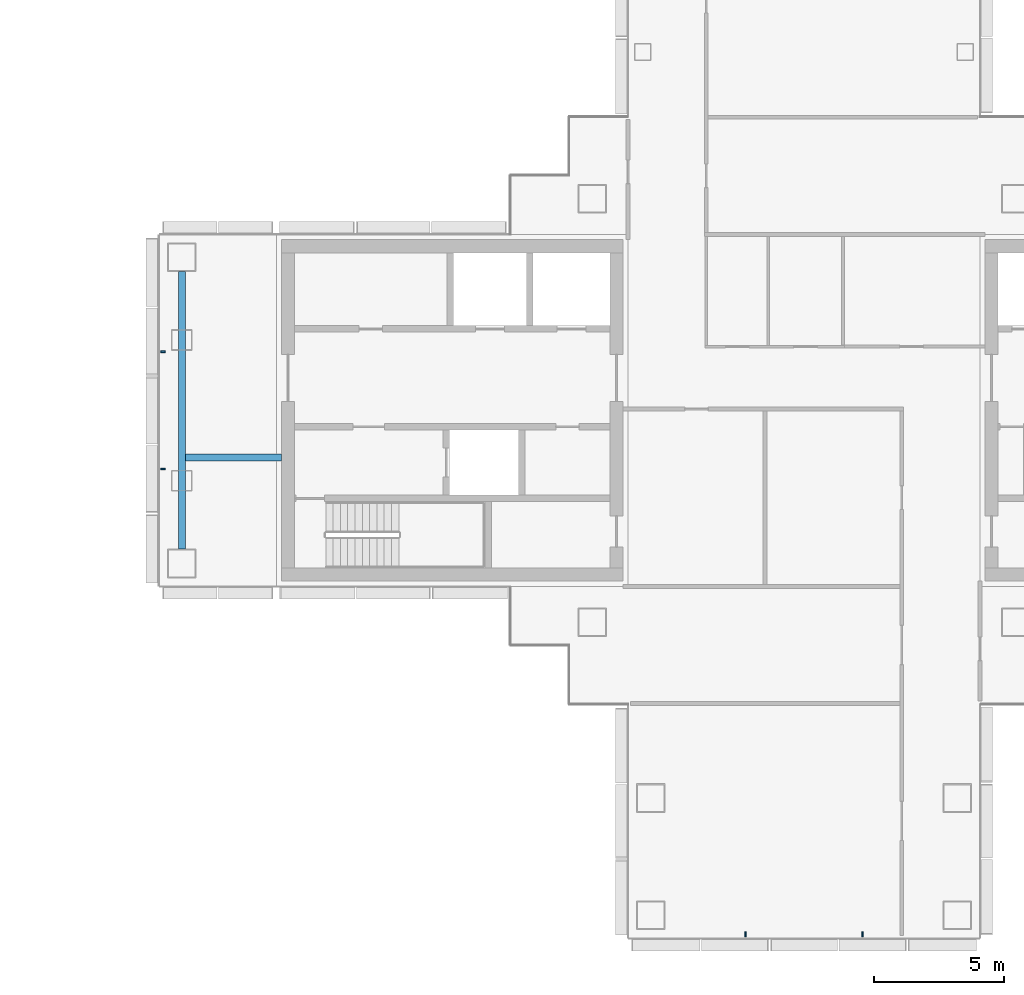
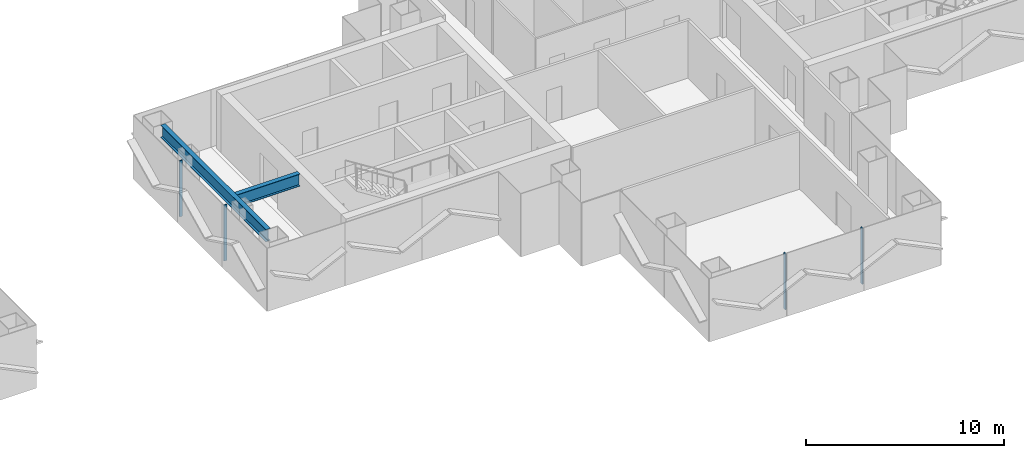
# One storey, part 5 of 16: 4 members, 2 beams, 2 elements without a shape of their own.
"""IFC4 building model written with IfcOpenShell, lengths in metres."""

from ifc_helpers import new_model, si_unit, direction, frame, origin, origin_2d, place, context, subcontext, project, spatial, rectangle, i_section, extrude, material, layer, layer_set, material_profile, profile_set, type_object, element, aggregate, save


model = new_model("IFC4")

# Units and contexts
model_context = context("Model", 3, precision=1e-05, world=origin(), true_north=direction((0.0, 1.0)))
body_context = subcontext(model_context, "Body", "Model", "MODEL_VIEW")
ifc_project = project(units=[si_unit("LENGTHUNIT", "METRE"), si_unit("AREAUNIT", "SQUARE_METRE"), si_unit("VOLUMEUNIT", "CUBIC_METRE"), si_unit("PLANEANGLEUNIT", "RADIAN"), si_unit("MASSUNIT", "GRAM", prefix="KILO")], contexts=[model_context])

# Site, building, storey
site_placement = place(None, origin())
site = spatial("IfcSite", under=ifc_project, at=site_placement, CompositionType="ELEMENT")
building_placement = place(site_placement, origin())
building = spatial("IfcBuilding", under=site, at=building_placement, Name="Shamsa Quay Exchange Towers", CompositionType="ELEMENT")
storey_placement = place(building_placement, frame((0.0, 0.0, 166.199951171875)))
storey = spatial("IfcBuildingStorey", under=building, at=storey_placement, Name="L39", CompositionType="ELEMENT", Elevation=166.199951171875)

# Curtain wall, members
ifc_material_1 = material(Name="Aluminium EN AW-6063 T6, black anodised", Category="aluminium")
ifc_layer = layer(ifc_material_1, 0.280029296875)
ifc_layer_set = layer_set([ifc_layer], Name="CW-1 UNITISED VISION GLASS")
curtain_wall_type = type_object("IfcCurtainWallType", Name="CW-1 UNITISED VISION GLASS", PredefinedType="NOTDEFINED", material=ifc_layer_set)
curtain_wall_1_placement = place(storey_placement, origin())
curtain_wall_1 = element("IfcCurtainWall", 1, at=curtain_wall_1_placement, inside=storey, type_object=curtain_wall_type, Name="CW1 T2-END-V+ L39", PredefinedType="NOTDEFINED")
ifc_material_profile_1 = material_profile(ifc_material_1, rectangle(XDim=0.179931640625, YDim=0.06005859375, at=origin_2d()), Name="MU60x180")
ifc_profile_set_1 = profile_set([ifc_material_profile_1], Name="Aluminium EN AW-6063 T6, black anodised")
member_type = type_object("IfcMemberType", Name="CW1 MULLION 60x180", PredefinedType="MULLION", material=ifc_profile_set_1)
member_1_placement = place(storey_placement, frame((9.14990234375, 2.25, 0.0)))
member_1 = element("IfcMember", 2, at=member_1_placement, type_object=member_type, Name="CW1 mullion", PredefinedType="MULLION", context=body_context, shape_type="SweptSolid", body=[
    extrude(rectangle(XDim=0.179931640625, YDim=0.06005859375, at=origin_2d()), origin(), (0.0, 0.0, 1.0), 3.449951171875),
])
member_2_placement = place(storey_placement, frame((9.14990234375, -2.25, 0.0)))
member_2 = element("IfcMember", 3, at=member_2_placement, type_object=member_type, Name="CW1 mullion", PredefinedType="MULLION", context=body_context, shape_type="SweptSolid", body=[
    extrude(rectangle(XDim=0.179931640625, YDim=0.06005859375, at=origin_2d()), origin(), (0.0, 0.0, 1.0), 3.449951171875),
])
aggregate(curtain_wall_1, [member_1, member_2])

curtain_wall_2_placement = place(storey_placement, origin())
curtain_wall_2 = element("IfcCurtainWall", 4, at=curtain_wall_2_placement, inside=storey, type_object=curtain_wall_type, Name="CW1 T2-END-U- L39", PredefinedType="NOTDEFINED")
member_3_placement = place(storey_placement, frame((31.5, -20.10009765625, 0.0), z_axis=(0.0, 0.0, 1.0), x_axis=(0.0, 1.0, 0.0)))
member_3 = element("IfcMember", 5, at=member_3_placement, type_object=member_type, Name="CW1 mullion", PredefinedType="MULLION", context=body_context, shape_type="SweptSolid", body=[
    extrude(rectangle(XDim=0.179931640625, YDim=0.06005859375, at=origin_2d()), origin(), (0.0, 0.0, 1.0), 3.449951171875),
])
member_4_placement = place(storey_placement, frame((36.0, -20.10009765625, 0.0), z_axis=(0.0, 0.0, 1.0), x_axis=(0.0, 1.0, 0.0)))
member_4 = element("IfcMember", 6, at=member_4_placement, type_object=member_type, Name="CW1 mullion", PredefinedType="MULLION", context=body_context, shape_type="SweptSolid", body=[
    extrude(rectangle(XDim=0.179931640625, YDim=0.06005859375, at=origin_2d()), origin(), (0.0, 0.0, 1.0), 3.449951171875),
])
aggregate(curtain_wall_2, [member_3, member_4])

# Beams
ifc_material_2 = material(Name="Steel S355", Category="steel")
ifc_material_profile_2 = material_profile(ifc_material_2, i_section(OverallWidth=0.26611328125, OverallDepth=0.7578125, WebThickness=0.013916015625, FlangeThickness=0.019287109375, at=origin_2d()), Name="W30x108")
ifc_profile_set_2 = profile_set([ifc_material_profile_2], Name="Steel S355")
beam_type = type_object("IfcBeamType", Name="End-zone beam W30x108", PredefinedType="BEAM", material=ifc_profile_set_2)
beam_1_placement = place(storey_placement, frame((9.875, -5.324951171875, 3.171142578125), z_axis=(0.0, 1.0, 0.0), x_axis=(-1.0, 0.0, 0.0)))
element("IfcBeam", 7, at=beam_1_placement, inside=storey, type_object=beam_type, Name="End beam T2 V+ end zone L39", PredefinedType="BEAM", context=body_context, shape_type="SweptSolid", body=[
    extrude(i_section(OverallWidth=0.26611328125, OverallDepth=0.7578125, WebThickness=0.013916015625, FlangeThickness=0.019287109375, at=origin_2d()), origin(), (0.0, 0.0, 1.0), 10.64990234375),
])
beam_2_placement = place(storey_placement, frame((13.699951171875, -1.800048828125, 3.171142578125), z_axis=(-1.0, 0.0, 0.0), x_axis=(0.0, -1.0, 0.0)))
element("IfcBeam", 8, at=beam_2_placement, inside=storey, type_object=beam_type, Name="Spine beam T2 V+ end zone L39", PredefinedType="BEAM", context=body_context, shape_type="SweptSolid", body=[
    extrude(i_section(OverallWidth=0.26611328125, OverallDepth=0.7578125, WebThickness=0.013916015625, FlangeThickness=0.019287109375, at=origin_2d()), origin(), (0.0, 0.0, 1.0), 3.69189453125),
])

save(model, "model.ifc")
